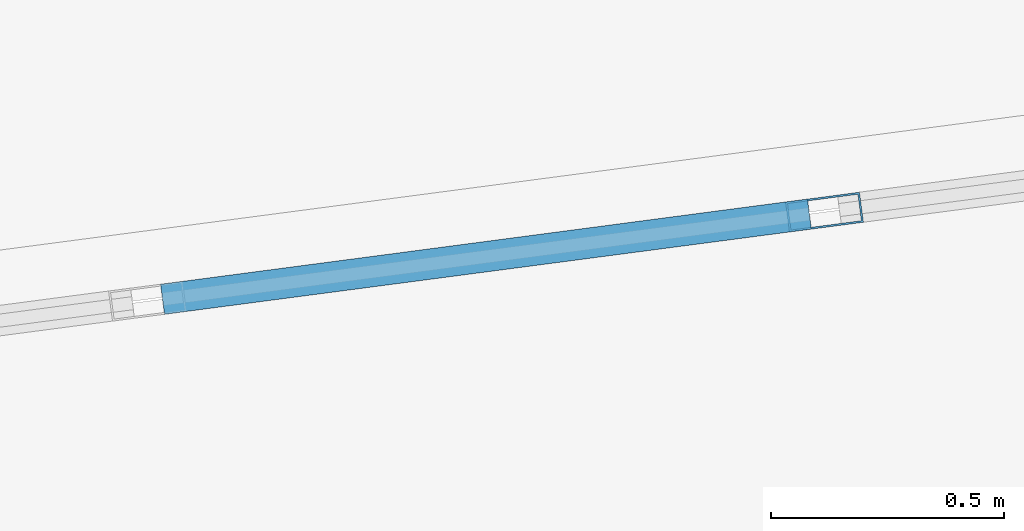
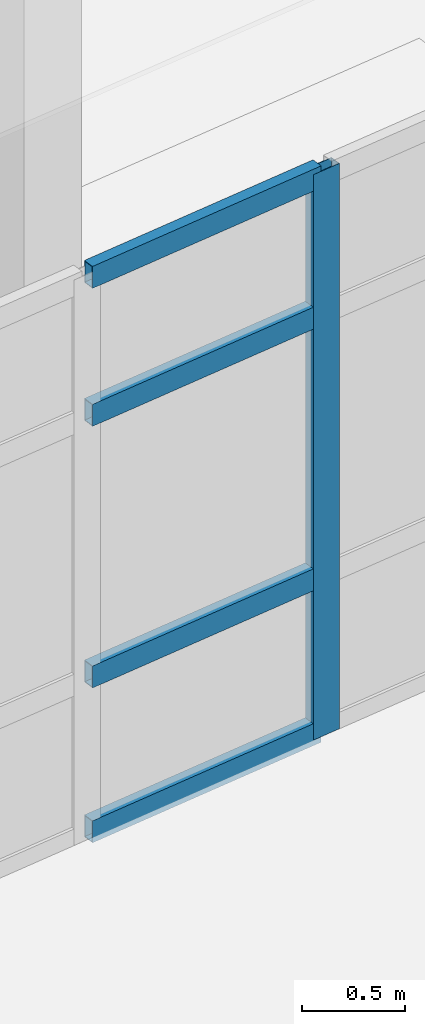
# One storey, part 67 of 154: 5 members, 1 element without a shape of its own.
"""IFC4 building model written with IfcOpenShell, lengths in metres."""

import ifcopenshell
import ifcopenshell.guid

model = None  # the IFC model being written
_history = None  # IfcOwnerHistory: only IFC2X3 demands one
_inside = {}  # id of a spatial element -> (the spatial element, [elements in it])
_under = {}  # id of a project, library or spatial element -> (it, [spatial elements below it])
_declared = {}  # id of a project -> (the project, [libraries it declares])
_typed = {}  # id of a type object -> (the type object, [elements of that type])
_made_of = {}  # id of a material, layer set ... -> (it, [elements and type objects made of it])


def new_model(schema):
    """Start an empty IFC model of exactly this schema.

    Asked for "IFC4X3", IfcOpenShell would pick the latest addendum, in which some entities
    have other attributes; the version numbers below select the first issue.
    IFC2X3 requires an IfcOwnerHistory on every rooted entity: one is made here for all.
    """
    global model, _history
    if schema == "IFC4X3":
        model = ifcopenshell.file(schema_version=(4, 3, 0, 0))
    else:
        model = ifcopenshell.file(schema=schema)
    _inside.clear()
    _under.clear()
    _declared.clear()
    _typed.clear()
    _made_of.clear()
    _history = None
    if model.schema == "IFC2X3":
        org = make("IfcOrganization", Name="unknown")
        user = make(
            "IfcPersonAndOrganization",
            ThePerson=make("IfcPerson", FamilyName="unknown"),
            TheOrganization=org,
        )
        app = make(
            "IfcApplication",
            ApplicationDeveloper=org,
            Version="unknown",
            ApplicationFullName="unknown",
            ApplicationIdentifier="unknown",
        )
        _history = make(
            "IfcOwnerHistory",
            OwningUser=user,
            OwningApplication=app,
            ChangeAction="ADDED",
            CreationDate=0,
        )
    return model


def make(cls, **values):
    """One entity of the class cls with the attributes given. An attribute that is None is left unset."""
    return model.create_entity(
        cls, **{name: value for name, value in values.items() if value is not None}
    )


def rooted(cls, **values):
    """An entity with a GlobalId (a new one), such as an element, a storey or a relation."""
    return make(cls, GlobalId=ifcopenshell.guid.new(), OwnerHistory=_history, **values)


def si_unit(unit_type, name, prefix=None):
    """IfcSIUnit, for example si_unit("LENGTHUNIT", "METRE", prefix="MILLI")."""
    return make("IfcSIUnit", UnitType=unit_type, Prefix=prefix, Name=name)


def assignment(units):
    """IfcUnitAssignment: the units of a project."""
    return None if units is None else make("IfcUnitAssignment", Units=units)


def point(xyz):
    """IfcCartesianPoint."""
    return None if xyz is None else make("IfcCartesianPoint", Coordinates=xyz)


def direction(xyz):
    """IfcDirection."""
    return None if xyz is None else make("IfcDirection", DirectionRatios=xyz)


def frame(location, z_axis=None, x_axis=None):
    """IfcAxis2Placement3D, a coordinate frame: its origin and axes. An axis left out is left unset."""
    return make(
        "IfcAxis2Placement3D",
        Location=point(location),
        Axis=direction(z_axis),
        RefDirection=direction(x_axis),
    )


def frame_2d(location, x_axis=None):
    """IfcAxis2Placement2D, a coordinate frame in the plane: its origin and x axis."""
    return make(
        "IfcAxis2Placement2D", Location=point(location), RefDirection=direction(x_axis)
    )


def origin():
    """The frame at (0, 0, 0) with its axes left unset."""
    return frame((0.0, 0.0, 0.0))


def origin_2d():
    """The frame at (0, 0) in the plane with its x axis left unset."""
    return frame_2d((0.0, 0.0))


def place(relative_to, where):
    """IfcLocalPlacement: puts the frame where relative to a parent placement (None: the world)."""
    return make(
        "IfcLocalPlacement", PlacementRelTo=relative_to, RelativePlacement=where
    )


def context(
    kind, dimensions, precision=None, world=None, true_north=None, identifier=None
):
    """IfcGeometricRepresentationContext, for example the 3D "Model" context."""
    return make(
        "IfcGeometricRepresentationContext",
        ContextIdentifier=identifier,
        ContextType=kind,
        CoordinateSpaceDimension=dimensions,
        Precision=precision,
        WorldCoordinateSystem=world,
        TrueNorth=true_north,
    )


def subcontext(parent, identifier, kind, view, scale=None):
    """IfcGeometricRepresentationSubContext, for example "Body" below "Model"."""
    return make(
        "IfcGeometricRepresentationSubContext",
        ContextIdentifier=identifier,
        ContextType=kind,
        ParentContext=parent,
        TargetScale=scale,
        TargetView=view,
    )


def project(units=None, contexts=None):
    """IfcProject with its units and contexts."""
    return rooted(
        "IfcProject",
        Name="project",
        RepresentationContexts=contexts,
        UnitsInContext=assignment(units),
    )


def spatial(cls, under=None, at=None, **own):
    """A site, building, storey or space (cls), placed at a placement, below another one or the project."""
    s = rooted(cls, ObjectPlacement=at, **own)
    if under is not None:
        _under.setdefault(under.id(), (under, []))[1].append(s)
    return s


def profile(cls, at=None, kind="AREA", **sizes):
    """A parametric profile (cls). Its sizes go by their IFC names, for example OverallWidth=200.0."""
    return make(cls, ProfileType=kind, Position=at, **sizes)


def hollow_rectangle(**sizes):
    """IfcRectangleHollowProfileDef."""
    return profile("IfcRectangleHollowProfileDef", **sizes)


def extrude(swept, where, along, depth):
    """IfcExtrudedAreaSolid: the profile swept, set in the frame where, extruded along a direction by depth."""
    return make(
        "IfcExtrudedAreaSolid",
        SweptArea=swept,
        Position=where,
        ExtrudedDirection=direction(along),
        Depth=depth,
    )


def shape(context_of_items, identifier, shape_type, items):
    """IfcShapeRepresentation: the items that make up one representation, for example the "Body"."""
    return make(
        "IfcShapeRepresentation",
        ContextOfItems=context_of_items,
        RepresentationIdentifier=identifier,
        RepresentationType=shape_type,
        Items=items,
    )


def material(Name=None, Category=None):
    """IfcMaterial."""
    return make("IfcMaterial", Name=Name, Category=Category)


def material_profile(
    of_material, cross_section, Name=None, Category=None, Priority=None
):
    """IfcMaterialProfile: a cross section and its material."""
    return make(
        "IfcMaterialProfile",
        Name=Name,
        Material=of_material,
        Profile=cross_section,
        Priority=Priority,
        Category=Category,
    )


def profile_set(profiles, Name=None, composite=None):
    """IfcMaterialProfileSet."""
    return make(
        "IfcMaterialProfileSet",
        Name=Name,
        MaterialProfiles=profiles,
        CompositeProfile=composite,
    )


def made_of(thing, what):
    """Note that an element or type object is made of a material, layer set ...; save() writes the relation."""
    if what is not None:
        _made_of.setdefault(what.id(), (what, []))[1].append(thing)
    return thing


def type_object(cls, material=None, **own):
    """A type object (cls), such as IfcWallType, which elements share."""
    return made_of(rooted(cls, **own), material)


def element(
    cls,
    number,
    at=None,
    inside=None,
    cuts=None,
    type_object=None,
    material=None,
    context=None,
    identifier="Body",
    shape_type=None,
    held_by="IfcProductDefinitionShape",
    body=None,
    shapes=None,
    **own,
):
    """One element of the class cls, such as IfcWall. Its Tag is "e" and its number.

    at: its placement. inside: the storey or other place that contains it. cuts: it is an
    opening in that element (IfcRelVoidsElement). A single representation is given by context,
    identifier, shape_type and body (its items); several are given by shapes. held_by: the class
    of the entity that holds the representations. save() writes the other relations.
    """
    e = rooted(cls, Tag="e%d" % number, ObjectPlacement=at, **own)
    if body is not None:
        shapes = [shape(context, identifier, shape_type, body)]
    if shapes is not None:
        e.Representation = make(held_by, Representations=shapes)
    if inside is not None:
        _inside.setdefault(inside.id(), (inside, []))[1].append(e)
    if cuts is not None:
        rooted(
            "IfcRelVoidsElement", RelatingBuildingElement=cuts, RelatedOpeningElement=e
        )
    if type_object is not None:
        _typed.setdefault(type_object.id(), (type_object, []))[1].append(e)
    return made_of(e, material)


def aggregate(whole, parts):
    """IfcRelAggregates: a whole, such as a stair, and the parts it consists of."""
    return rooted("IfcRelAggregates", RelatingObject=whole, RelatedObjects=parts)


def save(model, path):
    """Write the relations noted so far, then the file.

    IfcRelAggregates (storeys below a building ...), IfcRelContainedInSpatialStructure (elements
    in a storey), IfcRelDefinesByType, IfcRelAssociatesMaterial and IfcRelDeclares: one each for
    every whole, place, type object, material and project.
    """
    for whole, parts in _under.values():
        aggregate(whole, parts)
    for where, things in _inside.values():
        rooted(
            "IfcRelContainedInSpatialStructure",
            RelatedElements=things,
            RelatingStructure=where,
        )
    for kind, things in _typed.values():
        rooted("IfcRelDefinesByType", RelatedObjects=things, RelatingType=kind)
    for what, things in _made_of.values():
        rooted("IfcRelAssociatesMaterial", RelatedObjects=things, RelatingMaterial=what)
    for by, libraries in _declared.values():
        rooted("IfcRelDeclares", RelatingContext=by, RelatedDefinitions=libraries)
    model.write(path)


model = new_model("IFC4")

# Units and contexts
model_context = context("Model", 3, precision=1e-05, world=origin(), true_north=direction((0.0, 1.0)))
body_context = subcontext(model_context, "Body", "Model", "MODEL_VIEW")
ifc_project = project(units=[si_unit("LENGTHUNIT", "METRE"), si_unit("AREAUNIT", "SQUARE_METRE"), si_unit("VOLUMEUNIT", "CUBIC_METRE"), si_unit("PLANEANGLEUNIT", "RADIAN"), si_unit("MASSUNIT", "GRAM", prefix="KILO")], contexts=[model_context])

# Site, building, storey
site_placement = place(None, origin())
site = spatial("IfcSite", under=ifc_project, at=site_placement, CompositionType="ELEMENT")
building_placement = place(site_placement, origin())
building = spatial("IfcBuilding", under=site, at=building_placement, Name="Kestramere Prow Commons", CompositionType="ELEMENT")
storey_placement = place(building_placement, origin())
storey = spatial("IfcBuildingStorey", under=building, at=storey_placement, Name="L00", CompositionType="ELEMENT", Elevation=0.0)

# Curtain wall, members
ifc_material_1 = material(Name="Anodised Aluminium and Low-E Glass", Category="aluminium")
curtain_wall_type = type_object("IfcCurtainWallType", Name="CW-01 Glazed Curtain Wall 8780x3350", PredefinedType="USERDEFINED", material=ifc_material_1)
curtain_wall_placement = place(storey_placement, origin())
curtain_wall = element("IfcCurtainWall", 1, at=curtain_wall_placement, inside=storey, type_object=curtain_wall_type, Name="Block A L00 North Courtyard Storefront 5", ObjectType="GLAZED CURTAIN WALL", PredefinedType="USERDEFINED")
ifc_material_2 = material(Name="Anodised Aluminium 6063-T6", Category="aluminium")
ifc_material_profile_1 = material_profile(ifc_material_2, hollow_rectangle(XDim=0.06494140625, YDim=0.159912109375, WallThickness=0.00390625, at=origin_2d()), Name="ALU-MUL 65x160")
ifc_profile_set_1 = profile_set([ifc_material_profile_1], Name="Anodised Aluminium 6063-T6")
member_type_1 = type_object("IfcMemberType", Name="CW-MUL-65x160", PredefinedType="MULLION", material=ifc_profile_set_1)
member_1_placement = place(storey_placement, frame((48.1640625, 94.6181640625, 0.0), z_axis=(0.0, 0.0, 1.0), x_axis=(-0.130526208849, 0.991444859185, 0.0)))
member_1 = element("IfcMember", 2, at=member_1_placement, type_object=member_type_1, Name="CW-01 mullion 4", PredefinedType="MULLION", context=body_context, shape_type="SweptSolid", body=[
    extrude(hollow_rectangle(XDim=0.06494140625, YDim=0.159912109375, WallThickness=0.00390625, at=origin_2d()), origin(), (0.0, 0.0, 1.0), 3.35009765625),
])
ifc_material_profile_2 = material_profile(ifc_material_2, hollow_rectangle(XDim=0.06494140625, YDim=0.1298828125, WallThickness=0.00390625, at=origin_2d()), Name="ALU-TRN 65x130")
ifc_profile_set_2 = profile_set([ifc_material_profile_2], Name="Anodised Aluminium 6063-T6")
member_type_2 = type_object("IfcMemberType", Name="CW-TRN-65x130", PredefinedType="USERDEFINED", material=ifc_profile_set_2)
member_2_placement = place(storey_placement, frame((46.745361328125, 94.431396484375, 0.032470703125), z_axis=(0.991437054742, 0.130585475779, 0.0), x_axis=(-0.130585475779, 0.991437054742, 0.0)))
member_2 = element("IfcMember", 3, at=member_2_placement, type_object=member_type_2, Name="CW-01 transom 3.1", ObjectType="TRANSOM", PredefinedType="USERDEFINED", context=body_context, shape_type="SweptSolid", body=[
    extrude(hollow_rectangle(XDim=0.06494140625, YDim=0.1298828125, WallThickness=0.00390625, at=origin_2d()), origin(), (0.0, 0.0, 1.0), 1.3984375),
])
member_3_placement = place(storey_placement, frame((46.745361328125, 94.431396484375, 0.949951171875), z_axis=(0.991437054742, 0.130585475779, 0.0), x_axis=(-0.130585475779, 0.991437054742, 0.0)))
member_3 = element("IfcMember", 4, at=member_3_placement, type_object=member_type_2, Name="CW-01 transom 3.2", ObjectType="TRANSOM", PredefinedType="USERDEFINED", context=body_context, shape_type="SweptSolid", body=[
    extrude(hollow_rectangle(XDim=0.06494140625, YDim=0.1298828125, WallThickness=0.00390625, at=origin_2d()), origin(), (0.0, 0.0, 1.0), 1.3984375),
])
member_4_placement = place(storey_placement, frame((46.745361328125, 94.431396484375, 2.5), z_axis=(0.991437054742, 0.130585475779, 0.0), x_axis=(-0.130585475779, 0.991437054742, 0.0)))
member_4 = element("IfcMember", 5, at=member_4_placement, type_object=member_type_2, Name="CW-01 transom 3.3", ObjectType="TRANSOM", PredefinedType="USERDEFINED", context=body_context, shape_type="SweptSolid", body=[
    extrude(hollow_rectangle(XDim=0.06494140625, YDim=0.1298828125, WallThickness=0.00390625, at=origin_2d()), origin(), (0.0, 0.0, 1.0), 1.3984375),
])
member_5_placement = place(storey_placement, frame((46.745361328125, 94.431396484375, 3.3173828125), z_axis=(0.991437054742, 0.130585475779, 0.0), x_axis=(-0.130585475779, 0.991437054742, 0.0)))
member_5 = element("IfcMember", 6, at=member_5_placement, type_object=member_type_2, Name="CW-01 transom 3.4", ObjectType="TRANSOM", PredefinedType="USERDEFINED", context=body_context, shape_type="SweptSolid", body=[
    extrude(hollow_rectangle(XDim=0.06494140625, YDim=0.1298828125, WallThickness=0.00390625, at=origin_2d()), origin(), (0.0, 0.0, 1.0), 1.3984375),
])
aggregate(curtain_wall, [member_1, member_2, member_3, member_4, member_5])

save(model, "model.ifc")
